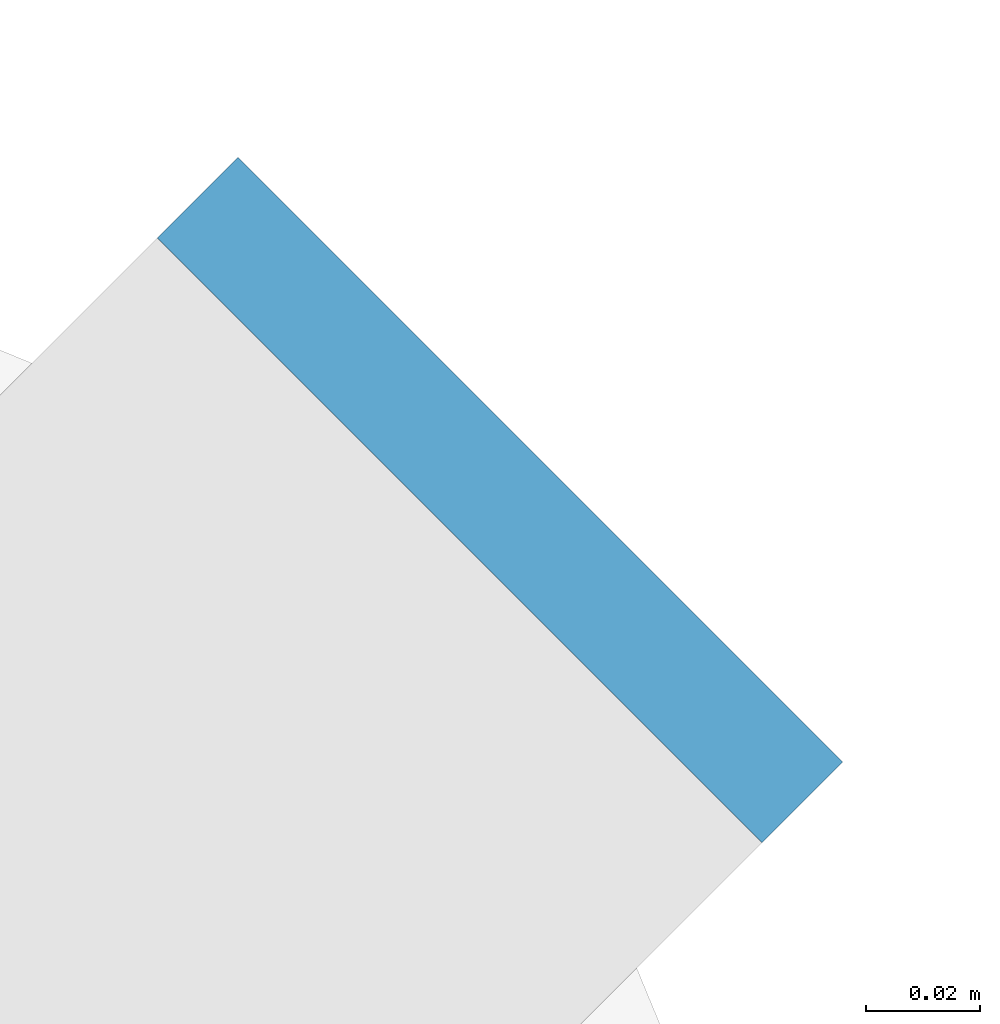
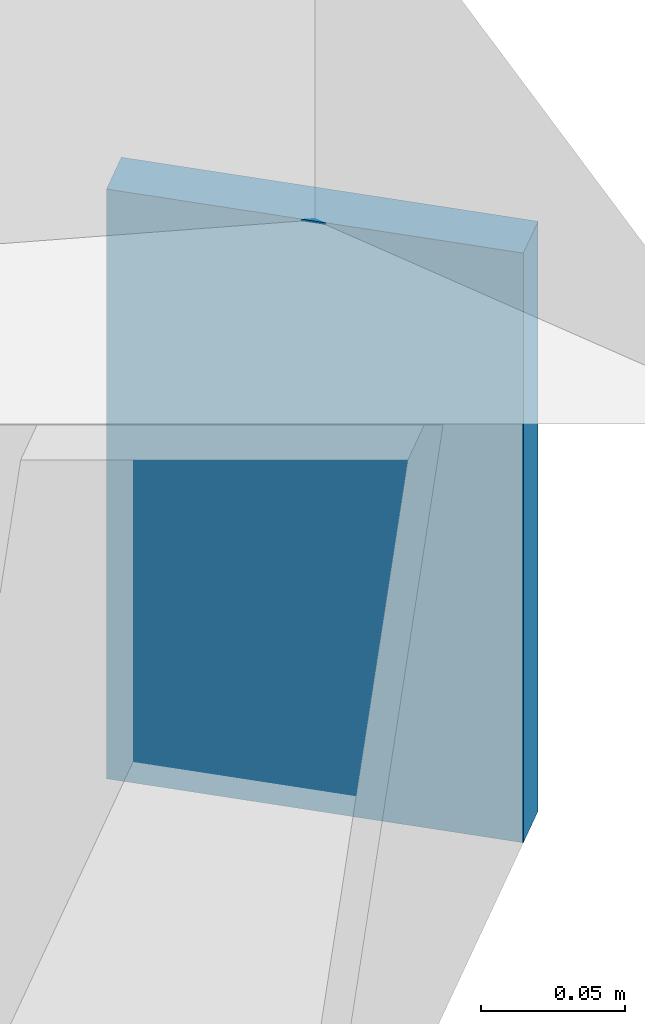
# One storey, part 20 of 30: 1 discrete accessory.
"""IFC4 building model written with IfcOpenShell, lengths in metres."""

from ifc_helpers import new_model, si_unit, direction, frame, origin, origin_2d, place, context, subcontext, project, spatial, rectangle, extrude, material, layer, layer_set, type_object, element, save


model = new_model("IFC4")

# Units and contexts
model_context = context("Model", 3, precision=1e-05, world=origin(), true_north=direction((0.0, 1.0)))
body_context = subcontext(model_context, "Body", "Model", "MODEL_VIEW")
ifc_project = project(units=[si_unit("LENGTHUNIT", "METRE"), si_unit("AREAUNIT", "SQUARE_METRE"), si_unit("VOLUMEUNIT", "CUBIC_METRE"), si_unit("PLANEANGLEUNIT", "RADIAN"), si_unit("MASSUNIT", "GRAM", prefix="KILO")], contexts=[model_context])

# Site, building, storey
site_placement = place(None, origin())
site = spatial("IfcSite", under=ifc_project, at=site_placement, CompositionType="ELEMENT")
building_placement = place(site_placement, origin())
building = spatial("IfcBuilding", under=site, at=building_placement, Name="Siwar Civic Tower", CompositionType="ELEMENT")
storey_placement = place(building_placement, frame((0.0, 0.0, 26.699951171875)))
storey = spatial("IfcBuildingStorey", under=building, at=storey_placement, Name="L05", CompositionType="ELEMENT", Elevation=26.699951171875)

# Discrete accessory
ifc_material = material(Name="Steel S355", Category="steel")
ifc_layer = layer(ifc_material, 0.02001953125)
ifc_layer_set = layer_set([ifc_layer], Name="Steel S355")
discrete_accessory_type = type_object("IfcDiscreteAccessoryType", Name="STR-END-CAP", PredefinedType="USERDEFINED", material=ifc_layer_set)
discrete_accessory_placement = place(storey_placement, frame((30.478271484375, 30.478271484375, -0.39990234375), z_axis=(0.0, 0.0, 1.0), x_axis=(0.707106781187, 0.707106781187, 0.0)))
element("IfcDiscreteAccessory", 1, at=discrete_accessory_placement, inside=storey, type_object=discrete_accessory_type, Name="End cap plate Balcony cantilever beam NE 2", ObjectType="END CAP PLATE", PredefinedType="USERDEFINED", context=body_context, shape_type="SweptSolid", body=[
    extrude(rectangle(XDim=0.02001953125, YDim=0.14990234375, at=origin_2d()), origin(), (0.0, 0.0, 1.0), 0.25),
])

save(model, "model.ifc")
